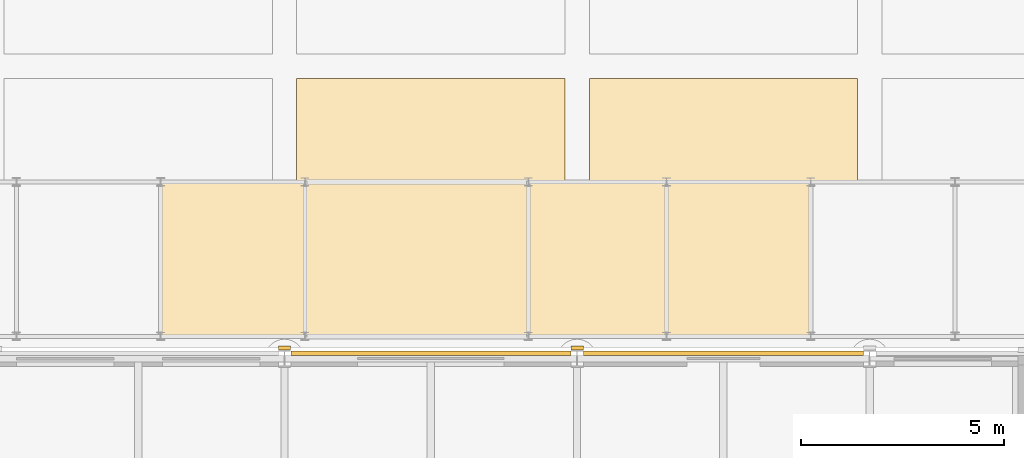
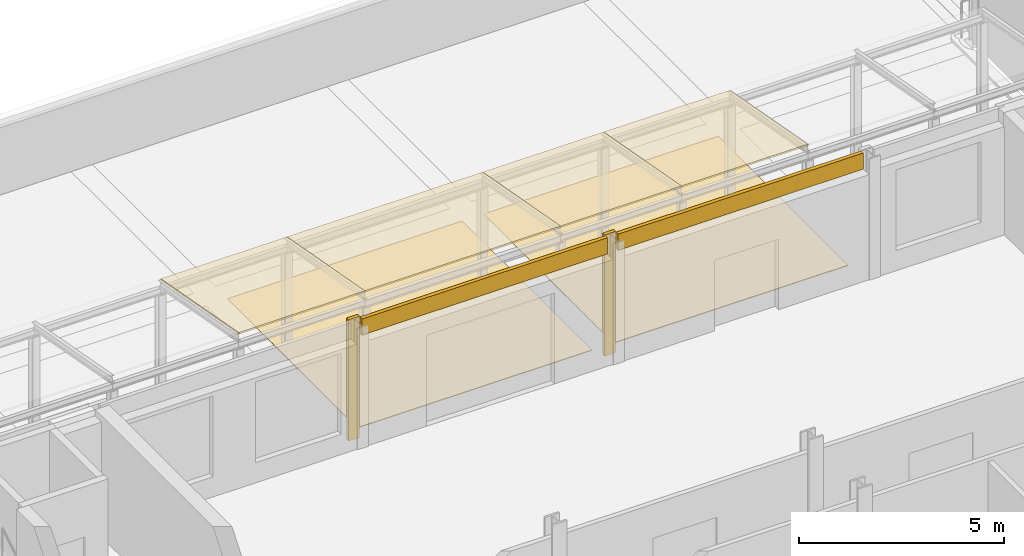
# One storey, part 123 of 143: 10 coverings.
"""IFC4 building model written with IfcOpenShell, lengths in metres."""

from ifc_helpers import new_model, si_unit, direction, frame, origin, origin_2d, place, context, subcontext, project, spatial, polyline, rectangle, outline, extrude, material, layer, layer_set, type_object, element, save


model = new_model("IFC4")

# Units and contexts
model_context = context("Model", 3, precision=1e-05, world=origin(), true_north=direction((0.0, 1.0)))
body_context = subcontext(model_context, "Body", "Model", "MODEL_VIEW")
ifc_project = project(units=[si_unit("LENGTHUNIT", "METRE"), si_unit("AREAUNIT", "SQUARE_METRE"), si_unit("VOLUMEUNIT", "CUBIC_METRE"), si_unit("PLANEANGLEUNIT", "RADIAN"), si_unit("MASSUNIT", "GRAM", prefix="KILO")], contexts=[model_context])

# Site, building, storey
site_placement = place(None, origin())
site = spatial("IfcSite", under=ifc_project, at=site_placement, CompositionType="ELEMENT")
building_placement = place(site_placement, origin())
building = spatial("IfcBuilding", under=site, at=building_placement, Name="Kupolbacken Congress Centre", CompositionType="ELEMENT")
storey_placement = place(building_placement, frame((0.0, 0.0, 7.199951171875)))
storey = spatial("IfcBuildingStorey", under=building, at=storey_placement, Name="L02", CompositionType="ELEMENT", Elevation=7.199951171875)

# Coverings
ifc_material_1 = material(Name="Limestone cladding", Category="masonry")
ifc_layer_1 = layer(ifc_material_1, 0.1201171875)
ifc_layer_set_1 = layer_set([ifc_layer_1], Name="Limestone cladding")
covering_type_1 = type_object("IfcCoveringType", Name="CV1 limestone cladding band 120", PredefinedType="CLADDING", material=ifc_layer_set_1)
for number, where, z_axis, x_axis, name in (
    (1, (126.0, 144.137451171875, 3.1201171875), (0.0, 0.0, 1.0), (-1.0, 0.0, 0.0), "E/T/N/L02/015/band"),
    (2, (118.800048828125, 144.137451171875, 3.1201171875), (0.0, 0.0, 1.0), (-1.0, 0.0, 0.0), "E/T/N/L02/016/band"),
):
    element("IfcCovering", number, at=place(storey_placement, frame(where, z_axis=z_axis, x_axis=x_axis)), inside=storey, type_object=covering_type_1, Name=name, PredefinedType="CLADDING", context=body_context, shape_type="SweptSolid", body=[
        extrude(rectangle(XDim=6.89306640625, YDim=0.10498046875, at=origin_2d()), origin(), (0.0, 0.0, 1.0), 0.47998046875),
    ])
for number, where, z_axis, x_axis, name in (
    (3, (115.199951171875, 144.26611328125, 0.0), (0.0, 0.0, 1.0), (1.0, 0.0, 0.0), "E/T/pilaster/L02/C-T-17W/N"),
    (4, (122.39990234375, 144.26611328125, 0.0), (0.0, 0.0, 1.0), (1.0, 0.0, 0.0), "E/T/pilaster/L02/C-T-18W/N"),
):
    element("IfcCovering", number, at=place(storey_placement, frame(where, z_axis=z_axis, x_axis=x_axis)), inside=storey, type_object=covering_type_1, Name=name, PredefinedType="CLADDING", context=body_context, shape_type="SweptSolid", body=[
        extrude(rectangle(XDim=0.306884765625, YDim=0.10009765625, at=origin_2d()), origin(), (0.0, 0.0, 1.0), 3.60009765625),
    ])
ifc_material_2 = material(Name="Glass", Category="glass")
ifc_layer_2 = layer(ifc_material_2, 0.0439453125)
ifc_layer_set_2 = layer_set([ifc_layer_2], Name="Glass")
covering_type_2 = type_object("IfcCoveringType", Name="GC1 glazed canopy roof 44", PredefinedType="ROOFING", material=ifc_layer_set_2)
covering_1_placement = place(storey_placement, frame((112.14990234375, 144.550048828125, 4.033935546875), z_axis=(0.0, 0.181147956008, 0.983455854644), x_axis=(1.0, 0.0, 0.0)))
element("IfcCovering", 5, at=covering_1_placement, inside=storey, type_object=covering_type_2, Name="Covered passage glass", PredefinedType="ROOFING", context=body_context, shape_type="SweptSolid", body=[
    extrude(outline(polyline([(0.0, 0.0), (3.550048828125, 0.0), (3.550048828125, 3.863974992044251), (0.0, 3.863974992044251), (0.0, 0.0)])), origin(), (0.0, 0.0, -1.0), 0.0439453125),
])
covering_2_placement = place(storey_placement, frame((115.699951171875, 144.550048828125, 4.033935546875), z_axis=(0.0, 0.181147956008, 0.983455854644), x_axis=(1.0, 0.0, 0.0)))
element("IfcCovering", 6, at=covering_2_placement, inside=storey, type_object=covering_type_2, Name="Covered passage glass", PredefinedType="ROOFING", context=body_context, shape_type="SweptSolid", body=[
    extrude(outline(polyline([(0.0, 0.0), (5.5, 0.0), (5.5, 3.863974992044251), (0.0, 3.863974992044251), (0.0, 0.0)])), origin(), (0.0, 0.0, -1.0), 0.0439453125),
])
covering_3_placement = place(storey_placement, frame((121.199951171875, 144.550048828125, 4.033935546875), z_axis=(0.0, 0.181147956008, 0.983455854644), x_axis=(1.0, 0.0, 0.0)))
element("IfcCovering", 7, at=covering_3_placement, inside=storey, type_object=covering_type_2, Name="Covered passage glass", PredefinedType="ROOFING", context=body_context, shape_type="SweptSolid", body=[
    extrude(outline(polyline([(0.0, 0.0), (3.400146484375, 0.0), (3.400146484375, 3.8639749920442514), (0.0, 3.8639749920442514), (0.0, 0.0)])), origin(), (0.0, 0.0, -1.0), 0.0439453125),
])
covering_4_placement = place(storey_placement, frame((124.60009765625, 144.550048828125, 4.033935546875), z_axis=(0.0, 0.181147956008, 0.983455854644), x_axis=(1.0, 0.0, 0.0)))
element("IfcCovering", 8, at=covering_4_placement, inside=storey, type_object=covering_type_2, Name="Covered passage glass", PredefinedType="ROOFING", context=body_context, shape_type="SweptSolid", body=[
    extrude(outline(polyline([(0.0, 0.0), (3.5498046875, 0.0), (3.5498046875, 3.8639749920442514), (0.0, 3.8639749920442514), (0.0, 0.0)])), origin(), (0.0, 0.0, -1.0), 0.0439453125),
])
ifc_material_3 = material(Name="Limestone cladding", Category="masonry")
ifc_layer_3 = layer(ifc_material_3, 0.02001953125)
ifc_layer_set_3 = layer_set([ifc_layer_3], Name="Limestone cladding")
covering_type_3 = type_object("IfcCoveringType", Name="GF1 limestone paving 20", PredefinedType="FLOORING", material=ifc_layer_set_3)
covering_5_placement = place(storey_placement, origin())
element("IfcCovering", 9, at=covering_5_placement, inside=storey, type_object=covering_type_3, Name="Arrival deck limestone paving", PredefinedType="FLOORING", context=body_context, shape_type="SweptSolid", body=[
    extrude(outline(polyline([(122.699951171875, 144.574951171875), (122.699951171875, 150.89990234375), (129.300048828125, 150.89990234375), (129.300048828125, 144.574951171875), (122.699951171875, 144.574951171875)])), origin(), (0.0, 0.0, 1.0), 0.02001953125),
])
covering_6_placement = place(storey_placement, origin())
element("IfcCovering", 10, at=covering_6_placement, inside=storey, type_object=covering_type_3, Name="Arrival deck limestone paving", PredefinedType="FLOORING", context=body_context, shape_type="SweptSolid", body=[
    extrude(outline(polyline([(115.5, 144.574951171875), (115.5, 150.89990234375), (122.10009765625, 150.89990234375), (122.10009765625, 144.574951171875), (115.5, 144.574951171875)])), origin(), (0.0, 0.0, 1.0), 0.02001953125),
])

save(model, "model.ifc")
